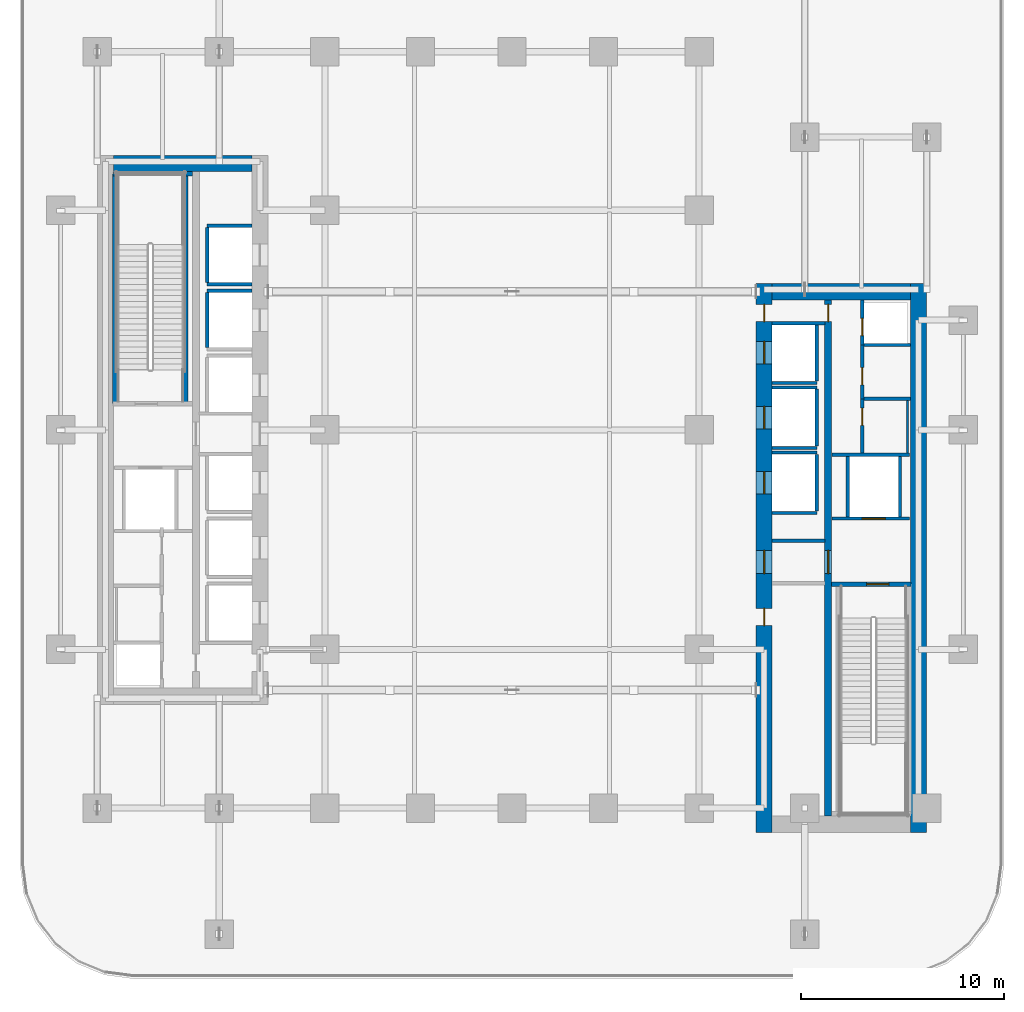
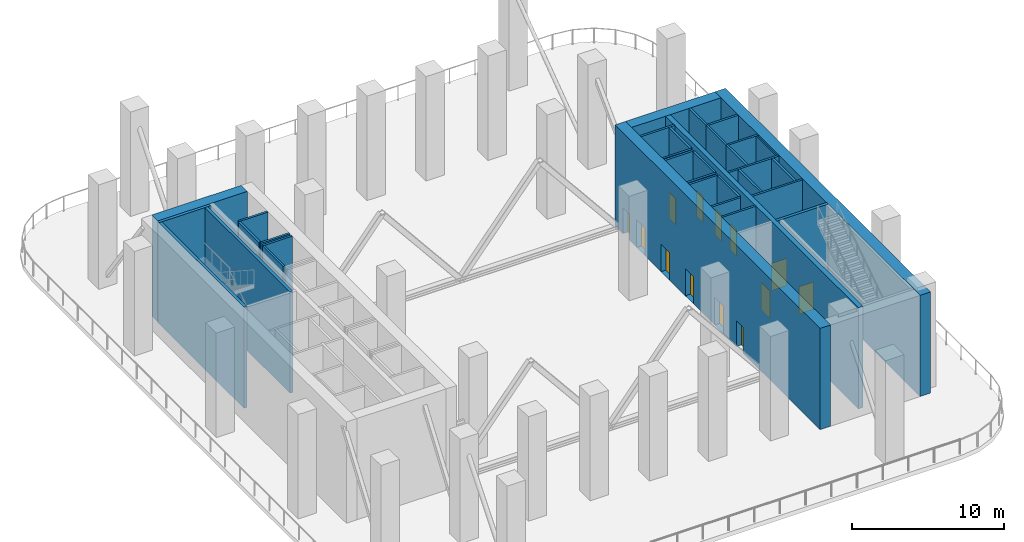
# One storey, part 6 of 13: 34 walls, 13 doors, 13 openings.
"""IFC4 building model written with IfcOpenShell, lengths in metres."""

import ifcopenshell
import ifcopenshell.guid

model = None  # the IFC model being written
_history = None  # IfcOwnerHistory: only IFC2X3 demands one
_inside = {}  # id of a spatial element -> (the spatial element, [elements in it])
_under = {}  # id of a project, library or spatial element -> (it, [spatial elements below it])
_declared = {}  # id of a project -> (the project, [libraries it declares])
_typed = {}  # id of a type object -> (the type object, [elements of that type])
_made_of = {}  # id of a material, layer set ... -> (it, [elements and type objects made of it])


def new_model(schema):
    """Start an empty IFC model of exactly this schema.

    Asked for "IFC4X3", IfcOpenShell would pick the latest addendum, in which some entities
    have other attributes; the version numbers below select the first issue.
    IFC2X3 requires an IfcOwnerHistory on every rooted entity: one is made here for all.
    """
    global model, _history
    if schema == "IFC4X3":
        model = ifcopenshell.file(schema_version=(4, 3, 0, 0))
    else:
        model = ifcopenshell.file(schema=schema)
    _inside.clear()
    _under.clear()
    _declared.clear()
    _typed.clear()
    _made_of.clear()
    _history = None
    if model.schema == "IFC2X3":
        org = make("IfcOrganization", Name="unknown")
        user = make(
            "IfcPersonAndOrganization",
            ThePerson=make("IfcPerson", FamilyName="unknown"),
            TheOrganization=org,
        )
        app = make(
            "IfcApplication",
            ApplicationDeveloper=org,
            Version="unknown",
            ApplicationFullName="unknown",
            ApplicationIdentifier="unknown",
        )
        _history = make(
            "IfcOwnerHistory",
            OwningUser=user,
            OwningApplication=app,
            ChangeAction="ADDED",
            CreationDate=0,
        )
    return model


def make(cls, **values):
    """One entity of the class cls with the attributes given. An attribute that is None is left unset."""
    return model.create_entity(
        cls, **{name: value for name, value in values.items() if value is not None}
    )


def rooted(cls, **values):
    """An entity with a GlobalId (a new one), such as an element, a storey or a relation."""
    return make(cls, GlobalId=ifcopenshell.guid.new(), OwnerHistory=_history, **values)


def si_unit(unit_type, name, prefix=None):
    """IfcSIUnit, for example si_unit("LENGTHUNIT", "METRE", prefix="MILLI")."""
    return make("IfcSIUnit", UnitType=unit_type, Prefix=prefix, Name=name)


def assignment(units):
    """IfcUnitAssignment: the units of a project."""
    return None if units is None else make("IfcUnitAssignment", Units=units)


def point(xyz):
    """IfcCartesianPoint."""
    return None if xyz is None else make("IfcCartesianPoint", Coordinates=xyz)


def direction(xyz):
    """IfcDirection."""
    return None if xyz is None else make("IfcDirection", DirectionRatios=xyz)


def frame(location, z_axis=None, x_axis=None):
    """IfcAxis2Placement3D, a coordinate frame: its origin and axes. An axis left out is left unset."""
    return make(
        "IfcAxis2Placement3D",
        Location=point(location),
        Axis=direction(z_axis),
        RefDirection=direction(x_axis),
    )


def frame_2d(location, x_axis=None):
    """IfcAxis2Placement2D, a coordinate frame in the plane: its origin and x axis."""
    return make(
        "IfcAxis2Placement2D", Location=point(location), RefDirection=direction(x_axis)
    )


def origin():
    """The frame at (0, 0, 0) with its axes left unset."""
    return frame((0.0, 0.0, 0.0))


def place(relative_to, where):
    """IfcLocalPlacement: puts the frame where relative to a parent placement (None: the world)."""
    return make(
        "IfcLocalPlacement", PlacementRelTo=relative_to, RelativePlacement=where
    )


def context(
    kind, dimensions, precision=None, world=None, true_north=None, identifier=None
):
    """IfcGeometricRepresentationContext, for example the 3D "Model" context."""
    return make(
        "IfcGeometricRepresentationContext",
        ContextIdentifier=identifier,
        ContextType=kind,
        CoordinateSpaceDimension=dimensions,
        Precision=precision,
        WorldCoordinateSystem=world,
        TrueNorth=true_north,
    )


def subcontext(parent, identifier, kind, view, scale=None):
    """IfcGeometricRepresentationSubContext, for example "Body" below "Model"."""
    return make(
        "IfcGeometricRepresentationSubContext",
        ContextIdentifier=identifier,
        ContextType=kind,
        ParentContext=parent,
        TargetScale=scale,
        TargetView=view,
    )


def project(units=None, contexts=None):
    """IfcProject with its units and contexts."""
    return rooted(
        "IfcProject",
        Name="project",
        RepresentationContexts=contexts,
        UnitsInContext=assignment(units),
    )


def spatial(cls, under=None, at=None, **own):
    """A site, building, storey or space (cls), placed at a placement, below another one or the project."""
    s = rooted(cls, ObjectPlacement=at, **own)
    if under is not None:
        _under.setdefault(under.id(), (under, []))[1].append(s)
    return s


def profile(cls, at=None, kind="AREA", **sizes):
    """A parametric profile (cls). Its sizes go by their IFC names, for example OverallWidth=200.0."""
    return make(cls, ProfileType=kind, Position=at, **sizes)


def rectangle(**sizes):
    """IfcRectangleProfileDef."""
    return profile("IfcRectangleProfileDef", **sizes)


def extrude(swept, where, along, depth):
    """IfcExtrudedAreaSolid: the profile swept, set in the frame where, extruded along a direction by depth."""
    return make(
        "IfcExtrudedAreaSolid",
        SweptArea=swept,
        Position=where,
        ExtrudedDirection=direction(along),
        Depth=depth,
    )


def shape(context_of_items, identifier, shape_type, items):
    """IfcShapeRepresentation: the items that make up one representation, for example the "Body"."""
    return make(
        "IfcShapeRepresentation",
        ContextOfItems=context_of_items,
        RepresentationIdentifier=identifier,
        RepresentationType=shape_type,
        Items=items,
    )


def material(Name=None, Category=None):
    """IfcMaterial."""
    return make("IfcMaterial", Name=Name, Category=Category)


def layer(
    of_material, thickness, ventilated=None, Name=None, Category=None, Priority=None
):
    """IfcMaterialLayer: one layer of a wall or slab, of a material (None: an air gap)."""
    return make(
        "IfcMaterialLayer",
        Material=of_material,
        LayerThickness=thickness,
        IsVentilated=ventilated,
        Name=Name,
        Category=Category,
        Priority=Priority,
    )


def layer_set(layers, Name=None):
    """IfcMaterialLayerSet."""
    return make("IfcMaterialLayerSet", MaterialLayers=layers, LayerSetName=Name)


def made_of(thing, what):
    """Note that an element or type object is made of a material, layer set ...; save() writes the relation."""
    if what is not None:
        _made_of.setdefault(what.id(), (what, []))[1].append(thing)
    return thing


def type_object(cls, material=None, **own):
    """A type object (cls), such as IfcWallType, which elements share."""
    return made_of(rooted(cls, **own), material)


def element(
    cls,
    number,
    at=None,
    inside=None,
    cuts=None,
    type_object=None,
    material=None,
    context=None,
    identifier="Body",
    shape_type=None,
    held_by="IfcProductDefinitionShape",
    body=None,
    shapes=None,
    **own,
):
    """One element of the class cls, such as IfcWall. Its Tag is "e" and its number.

    at: its placement. inside: the storey or other place that contains it. cuts: it is an
    opening in that element (IfcRelVoidsElement). A single representation is given by context,
    identifier, shape_type and body (its items); several are given by shapes. held_by: the class
    of the entity that holds the representations. save() writes the other relations.
    """
    e = rooted(cls, Tag="e%d" % number, ObjectPlacement=at, **own)
    if body is not None:
        shapes = [shape(context, identifier, shape_type, body)]
    if shapes is not None:
        e.Representation = make(held_by, Representations=shapes)
    if inside is not None:
        _inside.setdefault(inside.id(), (inside, []))[1].append(e)
    if cuts is not None:
        rooted(
            "IfcRelVoidsElement", RelatingBuildingElement=cuts, RelatedOpeningElement=e
        )
    if type_object is not None:
        _typed.setdefault(type_object.id(), (type_object, []))[1].append(e)
    return made_of(e, material)


def fill(opening, filler):
    """IfcRelFillsElement: the door or window that sits in an opening."""
    return rooted(
        "IfcRelFillsElement",
        RelatingOpeningElement=opening,
        RelatedBuildingElement=filler,
    )


def aggregate(whole, parts):
    """IfcRelAggregates: a whole, such as a stair, and the parts it consists of."""
    return rooted("IfcRelAggregates", RelatingObject=whole, RelatedObjects=parts)


def save(model, path):
    """Write the relations noted so far, then the file.

    IfcRelAggregates (storeys below a building ...), IfcRelContainedInSpatialStructure (elements
    in a storey), IfcRelDefinesByType, IfcRelAssociatesMaterial and IfcRelDeclares: one each for
    every whole, place, type object, material and project.
    """
    for whole, parts in _under.values():
        aggregate(whole, parts)
    for where, things in _inside.values():
        rooted(
            "IfcRelContainedInSpatialStructure",
            RelatedElements=things,
            RelatingStructure=where,
        )
    for kind, things in _typed.values():
        rooted("IfcRelDefinesByType", RelatedObjects=things, RelatingType=kind)
    for what, things in _made_of.values():
        rooted("IfcRelAssociatesMaterial", RelatedObjects=things, RelatingMaterial=what)
    for by, libraries in _declared.values():
        rooted("IfcRelDeclares", RelatingContext=by, RelatedDefinitions=libraries)
    model.write(path)


model = new_model("IFC4")

# Units and contexts
model_context = context("Model", 3, precision=1e-05, world=origin(), true_north=direction((0.0, 1.0)))
body_context = subcontext(model_context, "Body", "Model", "MODEL_VIEW")
ifc_project = project(units=[si_unit("LENGTHUNIT", "METRE"), si_unit("AREAUNIT", "SQUARE_METRE"), si_unit("VOLUMEUNIT", "CUBIC_METRE"), si_unit("PLANEANGLEUNIT", "RADIAN"), si_unit("MASSUNIT", "GRAM", prefix="KILO")], contexts=[model_context])

# Site, building, storey
site_placement = place(None, origin())
site = spatial("IfcSite", under=ifc_project, at=site_placement, CompositionType="ELEMENT")
building_placement = place(site_placement, origin())
building = spatial("IfcBuilding", under=site, at=building_placement, Name="Khairoan Windgate Tower", CompositionType="ELEMENT")
storey_placement = place(building_placement, frame((0.0, 0.0, 84.800048828125)))
storey = spatial("IfcBuildingStorey", under=building, at=storey_placement, Name="L20", CompositionType="ELEMENT", Elevation=84.800048828125)

# Walls
ifc_material_1 = material(Name="Moisture-Resistant Gypsum Partition", Category="gypsum")
ifc_layer_1 = layer(ifc_material_1, 0.10009765625, Name="Moisture-Resistant Gypsum Partition")
ifc_layer_set_1 = layer_set([ifc_layer_1], Name="Moisture-Resistant Gypsum Partition")
wall_type_1 = type_object("IfcWallType", Name="Bathroom Wet-Area Partition Wall", PredefinedType="PARTITIONING", material=ifc_layer_set_1)
wall_1_placement = place(storey_placement, frame((19.449951171875, 1.449951171875, 0.0), z_axis=(0.0, 0.0, 1.0), x_axis=(0.0, -1.0, 0.0)))
element("IfcWall", 1, at=wall_1_placement, inside=storey, type_object=wall_type_1, Name="L20 Wet Room Side Wall 012", PredefinedType="PARTITIONING", context=body_context, shape_type="SweptSolid", body=[
    extrude(rectangle(XDim=2.58984375, YDim=0.10009765625, at=frame_2d((1.294921875, 0.0))), origin(), (0.0, 0.0, 1.0), 8.139892578125),
])
ifc_material_2 = material(Name="Concrete C40/50", Category="concrete")
ifc_layer_2 = layer(ifc_material_2, 0.159912109375, Name="Concrete C40/50")
ifc_layer_set_2 = layer_set([ifc_layer_2], Name="Concrete C40/50")
wall_type_2 = type_object("IfcWallType", Name="Core and Hoistway Enclosure Wall", PredefinedType="STANDARD", material=ifc_layer_set_2)
for number, where, z_axis, x_axis, name in (
    (2, (-14.989990234375, 7.159912109375, 0.0), (0.0, 0.0, 1.0), (1.0, 0.0, 0.0), "L20 Lift PL1 Hoistway Divider S"),
    (3, (-14.989990234375, 10.0400390625, 0.0), (0.0, 0.0, 1.0), (1.0, 0.0, 0.0), "L20 Lift PL1 Hoistway Divider N"),
):
    element("IfcWall", number, at=place(storey_placement, frame(where, z_axis=z_axis, x_axis=x_axis)), inside=storey, type_object=wall_type_2, Name=name, PredefinedType="STANDARD", context=body_context, shape_type="SweptSolid", body=[
        extrude(rectangle(XDim=2.18994140625, YDim=0.159912109375, at=frame_2d((1.094970703125, 0.0))), origin(), (0.0, 0.0, 1.0), 8.139892578125),
    ])
wall_2_placement = place(storey_placement, frame((-14.989990234375, 7.25, 0.0), z_axis=(0.0, 0.0, 1.0), x_axis=(0.0, 1.0, 0.0)))
element("IfcWall", 4, at=wall_2_placement, inside=storey, type_object=wall_type_2, Name="L20 Lift PL1 Hoistway Back Wall", PredefinedType="STANDARD", context=body_context, shape_type="SweptSolid", body=[
    extrude(rectangle(XDim=2.699951171875, YDim=0.159912109375, at=frame_2d((1.35009765625, 0.0))), origin(), (0.0, 0.0, 1.0), 8.139892578125),
])
wall_3_placement = place(storey_placement, frame((-14.989990234375, 6.840087890625, 0.0), z_axis=(0.0, 0.0, 1.0), x_axis=(1.0, 0.0, 0.0)))
element("IfcWall", 5, at=wall_3_placement, inside=storey, type_object=wall_type_2, Name="L20 Lift PL2 Hoistway Divider N", PredefinedType="STANDARD", context=body_context, shape_type="SweptSolid", body=[
    extrude(rectangle(XDim=2.18994140625, YDim=0.159912109375, at=frame_2d((1.094970703125, 0.0))), origin(), (0.0, 0.0, 1.0), 8.139892578125),
])
wall_4_placement = place(storey_placement, frame((-14.989990234375, 4.050048828125, 0.0), z_axis=(0.0, 0.0, 1.0), x_axis=(0.0, 1.0, 0.0)))
element("IfcWall", 6, at=wall_4_placement, inside=storey, type_object=wall_type_2, Name="L20 Lift PL2 Hoistway Back Wall", PredefinedType="STANDARD", context=body_context, shape_type="SweptSolid", body=[
    extrude(rectangle(XDim=2.699951171875, YDim=0.159912109375, at=frame_2d((1.35009765625, 0.0))), origin(), (0.0, 0.0, 1.0), 8.139892578125),
])
wall_5_placement = place(storey_placement, frame((12.800048828125, 2.31005859375, 0.0), z_axis=(0.0, 0.0, 1.0), x_axis=(1.0, 0.0, 0.0)))
element("IfcWall", 7, at=wall_5_placement, inside=storey, type_object=wall_type_2, Name="L20 Lift PL7 Hoistway Divider S", PredefinedType="STANDARD", context=body_context, shape_type="SweptSolid", body=[
    extrude(rectangle(XDim=2.18994140625, YDim=0.159912109375, at=frame_2d((1.094970703125, 0.0))), origin(), (0.0, 0.0, 1.0), 8.139892578125),
])
wall_6_placement = place(storey_placement, frame((14.989990234375, 2.39990234375, 0.0), z_axis=(0.0, 0.0, 1.0), x_axis=(0.0, 1.0, 0.0)))
element("IfcWall", 8, at=wall_6_placement, inside=storey, type_object=wall_type_2, Name="L20 Lift PL7 Hoistway Back Wall", PredefinedType="STANDARD", context=body_context, shape_type="SweptSolid", body=[
    extrude(rectangle(XDim=2.800048828125, YDim=0.159912109375, at=frame_2d((1.39990234375, 0.0))), origin(), (0.0, 0.0, 1.0), 8.139892578125),
])
for number, where, z_axis, x_axis, name in (
    (9, (12.800048828125, -0.889892578125, 0.0), (0.0, 0.0, 1.0), (1.0, 0.0, 0.0), "L20 Lift PL8 Hoistway Divider S"),
    (10, (12.800048828125, 2.090087890625, 0.0), (0.0, 0.0, 1.0), (1.0, 0.0, 0.0), "L20 Lift PL8 Hoistway Divider N"),
):
    element("IfcWall", number, at=place(storey_placement, frame(where, z_axis=z_axis, x_axis=x_axis)), inside=storey, type_object=wall_type_2, Name=name, PredefinedType="STANDARD", context=body_context, shape_type="SweptSolid", body=[
        extrude(rectangle(XDim=2.18994140625, YDim=0.159912109375, at=frame_2d((1.094970703125, 0.0))), origin(), (0.0, 0.0, 1.0), 8.139892578125),
    ])
wall_7_placement = place(storey_placement, frame((14.989990234375, -0.800048828125, 0.0), z_axis=(0.0, 0.0, 1.0), x_axis=(0.0, 1.0, 0.0)))
element("IfcWall", 11, at=wall_7_placement, inside=storey, type_object=wall_type_2, Name="L20 Lift PL8 Hoistway Back Wall", PredefinedType="STANDARD", context=body_context, shape_type="SweptSolid", body=[
    extrude(rectangle(XDim=2.800048828125, YDim=0.159912109375, at=frame_2d((1.39990234375, 0.0))), origin(), (0.0, 0.0, 1.0), 8.139892578125),
])
for number, where, z_axis, x_axis, name in (
    (12, (12.800048828125, -4.090087890625, 0.0), (0.0, 0.0, 1.0), (1.0, 0.0, 0.0), "L20 Lift PL9 Hoistway Divider S"),
    (13, (12.800048828125, -1.110107421875, 0.0), (0.0, 0.0, 1.0), (1.0, 0.0, 0.0), "L20 Lift PL9 Hoistway Divider N"),
):
    element("IfcWall", number, at=place(storey_placement, frame(where, z_axis=z_axis, x_axis=x_axis)), inside=storey, type_object=wall_type_2, Name=name, PredefinedType="STANDARD", context=body_context, shape_type="SweptSolid", body=[
        extrude(rectangle(XDim=2.18994140625, YDim=0.159912109375, at=frame_2d((1.094970703125, 0.0))), origin(), (0.0, 0.0, 1.0), 8.139892578125),
    ])
wall_8_placement = place(storey_placement, frame((14.989990234375, -4.0, 0.0), z_axis=(0.0, 0.0, 1.0), x_axis=(0.0, 1.0, 0.0)))
element("IfcWall", 14, at=wall_8_placement, inside=storey, type_object=wall_type_2, Name="L20 Lift PL9 Hoistway Back Wall", PredefinedType="STANDARD", context=body_context, shape_type="SweptSolid", body=[
    extrude(rectangle(XDim=2.800048828125, YDim=0.159912109375, at=frame_2d((1.39990234375, 0.0))), origin(), (0.0, 0.0, 1.0), 8.139892578125),
])

# Wall, opening, door
wall_9_placement = place(storey_placement, frame((15.75, -4.360107421875, 0.0), z_axis=(0.0, 0.0, 1.0), x_axis=(1.0, 0.0, 0.0)))
wall_9 = element("IfcWall", 15, at=wall_9_placement, inside=storey, type_object=wall_type_2, Name="L20 Core Shaft Wall SW-FL1-L20", PredefinedType="STANDARD", context=body_context, shape_type="SweptSolid", body=[
    extrude(rectangle(XDim=3.800048828125, YDim=0.159912109375, at=frame_2d((1.89990234375, 0.0))), origin(), (0.0, 0.0, 1.0), 8.139892578125),
])
opening_1_placement = place(wall_9_placement, frame((1.469970703125, 0.0, 0.0)))
opening_1 = element("IfcOpeningElement", 16, at=opening_1_placement, cuts=wall_9, Name="Opening LD-FL", PredefinedType="OPENING", context=body_context, shape_type="SweptSolid", body=[
    extrude(rectangle(XDim=1.14990234375, YDim=2.199951171875, at=frame_2d((0.574951171875, 1.10009765625))), frame((0.0, 0.08984375, 0.0), z_axis=(0.0, -1.0, 0.0), x_axis=(1.0, 0.0, 0.0)), (0.0, 0.0, 1.0), 0.179931640625),
])
ifc_material_3 = material(Name="Steel S355", Category="steel")
door_type_1 = type_object("IfcDoorType", Name="Firefighting Lift Sliding Landing Door LD-FL 1150x2200", OperationType="DOUBLE_DOOR_SLIDING", PredefinedType="DOOR", material=ifc_material_3)
door_1_placement = place(opening_1_placement, origin())
door_1 = element("IfcDoor", 17, at=door_1_placement, inside=storey, type_object=door_type_1, Name="L20 Firefighting Lift FL1 Landing Door", OperationType="DOUBLE_DOOR_SLIDING", OverallHeight=2.199951171875, OverallWidth=1.14990234375, PredefinedType="DOOR", context=body_context, shape_type="SweptSolid", body=[
    extrude(rectangle(XDim=1.14990234375, YDim=2.199951171875, at=frame_2d((0.574951171875, 1.10009765625))), frame((0.0, 0.02490234375, 0.0), z_axis=(0.0, -1.0, 0.0), x_axis=(1.0, 0.0, 0.0)), (0.0, 0.0, 1.0), 0.050048828125),
])
fill(opening_1, door_1)

# Walls
wall_10_placement = place(storey_placement, frame((15.75, -1.219970703125, 0.0), z_axis=(0.0, 0.0, 1.0), x_axis=(1.0, 0.0, 0.0)))
element("IfcWall", 18, at=wall_10_placement, inside=storey, type_object=wall_type_2, Name="L20 Core Shaft Wall SW-FL1T-L20", PredefinedType="STANDARD", context=body_context, shape_type="SweptSolid", body=[
    extrude(rectangle(XDim=3.800048828125, YDim=0.159912109375, at=frame_2d((1.89990234375, 0.0))), origin(), (0.0, 0.0, 1.0), 8.139892578125),
])
for number, where, z_axis, x_axis, name in (
    (19, (16.52001953125, -4.280029296875, 0.0), (0.0, 0.0, 1.0), (0.0, 1.0, 0.0), "L20 Core Shaft Wall SW-FL1W-L20"),
    (20, (19.080078125, -4.280029296875, 0.0), (0.0, 0.0, 1.0), (0.0, 1.0, 0.0), "L20 Core Shaft Wall SW-FL1E-L20"),
):
    element("IfcWall", number, at=place(storey_placement, frame(where, z_axis=z_axis, x_axis=x_axis)), inside=storey, type_object=wall_type_2, Name=name, PredefinedType="STANDARD", context=body_context, shape_type="SweptSolid", body=[
        extrude(rectangle(XDim=2.97998046875, YDim=0.159912109375, at=frame_2d((1.489990234375, 0.0))), origin(), (0.0, 0.0, 1.0), 8.139892578125),
    ])
for number, where, z_axis, x_axis, name in (
    (21, (12.800048828125, -5.449951171875, 0.0), (0.0, 0.0, 1.0), (1.0, 0.0, 0.0), "L20 Core Shaft Wall SW-EV1-L20"),
    (22, (12.800048828125, 5.25, 0.0), (0.0, 0.0, 1.0), (1.0, 0.0, 0.0), "L20 Core Shaft Wall SW-ESV-L20"),
):
    element("IfcWall", number, at=place(storey_placement, frame(where, z_axis=z_axis, x_axis=x_axis)), inside=storey, type_object=wall_type_2, Name=name, PredefinedType="STANDARD", context=body_context, shape_type="SweptSolid", body=[
        extrude(rectangle(XDim=2.599853515625, YDim=0.159912109375, at=frame_2d((1.2998046875, 0.0))), origin(), (0.0, 0.0, 1.0), 8.139892578125),
    ])

# Wall, opening, door
ifc_material_4 = material(Name="Concrete C40/50", Category="concrete")
ifc_layer_3 = layer(ifc_material_4, 0.159912109375, Name="Concrete C40/50")
ifc_layer_set_3 = layer_set([ifc_layer_3], Name="Concrete C40/50")
wall_type_3 = type_object("IfcWallType", Name="Plant and Refuge Compartment Wall", PredefinedType="PARTITIONING", material=ifc_layer_set_3)
wall_11_placement = place(storey_placement, frame((17.22998046875, 4.169921875, 0.0), z_axis=(0.0, 0.0, 1.0), x_axis=(0.0, 1.0, 0.0)))
wall_11 = element("IfcWall", 23, at=wall_11_placement, inside=storey, type_object=wall_type_3, Name="L20 Interior Partition 006", PredefinedType="PARTITIONING", context=body_context, shape_type="SweptSolid", body=[
    extrude(rectangle(XDim=2.22998046875, YDim=0.159912109375, at=frame_2d((1.114990234375, 0.0))), origin(), (0.0, 0.0, 1.0), 8.139892578125),
])
opening_2_placement = place(wall_11_placement, frame((0.4599609375, 0.0, 0.0)))
opening_2 = element("IfcOpeningElement", 24, at=opening_2_placement, cuts=wall_11, Name="Opening FD-SRV", PredefinedType="OPENING", context=body_context, shape_type="SweptSolid", body=[
    extrude(rectangle(XDim=0.85009765625, YDim=2.10009765625, at=frame_2d((0.425048828125, 1.050048828125))), frame((0.0, 0.08984375, 0.0), z_axis=(0.0, -1.0, 0.0), x_axis=(1.0, 0.0, 0.0)), (0.0, 0.0, 1.0), 0.179931640625),
])
ifc_material_5 = material(Name="Steel S355", Category="steel")
door_type_2 = type_object("IfcDoorType", Name="Core Service and Riser Fire Door FD-SRV 850x2100", OperationType="NOTDEFINED", PredefinedType="DOOR", material=ifc_material_5)
door_2_placement = place(opening_2_placement, origin())
door_2 = element("IfcDoor", 25, at=door_2_placement, inside=storey, type_object=door_type_2, Name="L20 L20-19-L20-20 Door", OperationType="SINGLE_SWING_RIGHT", OverallHeight=2.10009765625, OverallWidth=0.85009765625, PredefinedType="DOOR", context=body_context, shape_type="SweptSolid", body=[
    extrude(rectangle(XDim=0.85009765625, YDim=2.10009765625, at=frame_2d((0.425048828125, 1.050048828125))), frame((0.0, 0.02490234375, 0.0), z_axis=(0.0, -1.0, 0.0), x_axis=(1.0, 0.0, 0.0)), (0.0, 0.0, 1.0), 0.050048828125),
])
fill(opening_2, door_2)

wall_12_placement = place(storey_placement, frame((17.22998046875, -1.139892578125, 0.0), z_axis=(0.0, 0.0, 1.0), x_axis=(0.0, 1.0, 0.0)))
wall_12 = element("IfcWall", 26, at=wall_12_placement, inside=storey, type_object=wall_type_3, Name="L20 Interior Partition 007", PredefinedType="PARTITIONING", context=body_context, shape_type="SweptSolid", body=[
    extrude(rectangle(XDim=2.669921875, YDim=0.159912109375, at=frame_2d((1.3349609375, 0.0))), origin(), (0.0, 0.0, 1.0), 8.139892578125),
])
opening_3_placement = place(wall_12_placement, frame((1.360107421875, 0.0, 0.0)))
opening_3 = element("IfcOpeningElement", 27, at=opening_3_placement, cuts=wall_12, Name="Opening FD-SRV", PredefinedType="OPENING", context=body_context, shape_type="SweptSolid", body=[
    extrude(rectangle(XDim=0.85009765625, YDim=2.10009765625, at=frame_2d((0.425048828125, 1.050048828125))), frame((0.0, 0.08984375, 0.0), z_axis=(0.0, -1.0, 0.0), x_axis=(1.0, 0.0, 0.0)), (0.0, 0.0, 1.0), 0.179931640625),
])
door_3_placement = place(opening_3_placement, origin())
door_3 = element("IfcDoor", 28, at=door_3_placement, inside=storey, type_object=door_type_2, Name="L20 L20-19-L20-21 Door", OperationType="SINGLE_SWING_LEFT", OverallHeight=2.10009765625, OverallWidth=0.85009765625, PredefinedType="DOOR", context=body_context, shape_type="SweptSolid", body=[
    extrude(rectangle(XDim=0.85009765625, YDim=2.10009765625, at=frame_2d((0.425048828125, 1.050048828125))), frame((0.0, 0.02490234375, 0.0), z_axis=(0.0, -1.0, 0.0), x_axis=(1.0, 0.0, 0.0)), (0.0, 0.0, 1.0), 0.050048828125),
])
fill(opening_3, door_3)

wall_13_placement = place(storey_placement, frame((17.22998046875, 1.530029296875, 0.0), z_axis=(0.0, 0.0, 1.0), x_axis=(0.0, 1.0, 0.0)))
wall_13 = element("IfcWall", 29, at=wall_13_placement, inside=storey, type_object=wall_type_3, Name="L20 Interior Partition 008", PredefinedType="PARTITIONING", context=body_context, shape_type="SweptSolid", body=[
    extrude(rectangle(XDim=2.639892578125, YDim=0.159912109375, at=frame_2d((1.31982421875, 0.0))), origin(), (0.0, 0.0, 1.0), 8.139892578125),
])
opening_4_placement = place(wall_13_placement, frame((0.677490234375, 0.0, 0.0)))
opening_4 = element("IfcOpeningElement", 30, at=opening_4_placement, cuts=wall_13, Name="Opening FD-SRV", PredefinedType="OPENING", context=body_context, shape_type="SweptSolid", body=[
    extrude(rectangle(XDim=0.85009765625, YDim=2.10009765625, at=frame_2d((0.425048828125, 1.050048828125))), frame((0.0, 0.08984375, 0.0), z_axis=(0.0, -1.0, 0.0), x_axis=(1.0, 0.0, 0.0)), (0.0, 0.0, 1.0), 0.179931640625),
])
door_4_placement = place(opening_4_placement, origin())
door_4 = element("IfcDoor", 31, at=door_4_placement, inside=storey, type_object=door_type_2, Name="L20 L20-19-L20-22 Door", OperationType="SINGLE_SWING_RIGHT", OverallHeight=2.10009765625, OverallWidth=0.85009765625, PredefinedType="DOOR", context=body_context, shape_type="SweptSolid", body=[
    extrude(rectangle(XDim=0.85009765625, YDim=2.10009765625, at=frame_2d((0.425048828125, 1.050048828125))), frame((0.0, 0.02490234375, 0.0), z_axis=(0.0, -1.0, 0.0), x_axis=(1.0, 0.0, 0.0)), (0.0, 0.0, 1.0), 0.050048828125),
])
fill(opening_4, door_4)

# Walls
for number, where, z_axis, x_axis, name in (
    (32, (17.31005859375, 4.169921875, 0.0), (0.0, 0.0, 1.0), (1.0, 0.0, 0.0), "L20 Interior Partition 009"),
    (33, (17.31005859375, 1.530029296875, 0.0), (0.0, 0.0, 1.0), (1.0, 0.0, 0.0), "L20 Interior Partition 010"),
):
    element("IfcWall", number, at=place(storey_placement, frame(where, z_axis=z_axis, x_axis=x_axis)), inside=storey, type_object=wall_type_3, Name=name, PredefinedType="PARTITIONING", context=body_context, shape_type="SweptSolid", body=[
        extrude(rectangle(XDim=2.2900390625, YDim=0.159912109375, at=frame_2d((1.14501953125, 0.0))), origin(), (0.0, 0.0, 1.0), 8.139892578125),
    ])

# Wall, openings, doors
ifc_material_6 = material(Name="Concrete C70/85", Category="concrete")
ifc_layer_4 = layer(ifc_material_6, 0.800048828125, Name="Concrete C70/85")
ifc_layer_set_4 = layer_set([ifc_layer_4], Name="Concrete C70/85")
wall_type_4 = type_object("IfcWallType", Name="Shear Wall CW-E1 800mm", PredefinedType="SHEAR", material=ifc_layer_set_4)
wall_14_placement = place(storey_placement, frame((12.39990234375, -19.800048828125, 0.0), z_axis=(0.0, 0.0, 1.0), x_axis=(0.0, 1.0, 0.0)))
wall_14 = element("IfcWall", 34, at=wall_14_placement, inside=storey, type_object=wall_type_4, Name="E Core West Shear Wall L20", PredefinedType="SHEAR", context=body_context, shape_type="SweptSolid", body=[
    extrude(rectangle(XDim=27.0, YDim=0.800048828125, at=frame_2d((13.5, 0.0))), origin(), (0.0, 0.0, 1.0), 8.139892578125),
])
opening_5_placement = place(wall_14_placement, frame((23.050048828125, 0.0, 0.0)))
opening_5 = element("IfcOpeningElement", 35, at=opening_5_placement, cuts=wall_14, Name="Opening LD-PL", PredefinedType="OPENING", context=body_context, shape_type="SweptSolid", body=[
    extrude(rectangle(XDim=1.10009765625, YDim=2.199951171875, at=frame_2d((0.550048828125, 1.10009765625))), frame((0.0, 0.409912109375, 0.0), z_axis=(0.0, -1.0, 0.0), x_axis=(1.0, 0.0, 0.0)), (0.0, 0.0, 1.0), 0.820068359375),
])
opening_6_placement = place(wall_14_placement, frame((19.85009765625, 0.0, 0.0)))
opening_6 = element("IfcOpeningElement", 36, at=opening_6_placement, cuts=wall_14, Name="Opening LD-PL", PredefinedType="OPENING", context=body_context, shape_type="SweptSolid", body=[
    extrude(rectangle(XDim=1.10009765625, YDim=2.199951171875, at=frame_2d((0.550048828125, 1.10009765625))), frame((0.0, 0.409912109375, 0.0), z_axis=(0.0, -1.0, 0.0), x_axis=(1.0, 0.0, 0.0)), (0.0, 0.0, 1.0), 0.820068359375),
])
opening_7_placement = place(wall_14_placement, frame((16.64990234375, 0.0, 0.0)))
opening_7 = element("IfcOpeningElement", 37, at=opening_7_placement, cuts=wall_14, Name="Opening LD-PL", PredefinedType="OPENING", context=body_context, shape_type="SweptSolid", body=[
    extrude(rectangle(XDim=1.10009765625, YDim=2.199951171875, at=frame_2d((0.550048828125, 1.10009765625))), frame((0.0, 0.409912109375, 0.0), z_axis=(0.0, -1.0, 0.0), x_axis=(1.0, 0.0, 0.0)), (0.0, 0.0, 1.0), 0.820068359375),
])
opening_8_placement = place(wall_14_placement, frame((10.175048828125, 0.0, 0.0)))
opening_8 = element("IfcOpeningElement", 38, at=opening_8_placement, cuts=wall_14, Name="Opening FD-SRV", PredefinedType="OPENING", context=body_context, shape_type="SweptSolid", body=[
    extrude(rectangle(XDim=0.85009765625, YDim=2.10009765625, at=frame_2d((0.425048828125, 1.050048828125))), frame((0.0, 0.409912109375, 0.0), z_axis=(0.0, -1.0, 0.0), x_axis=(1.0, 0.0, 0.0)), (0.0, 0.0, 1.0), 0.820068359375),
])
opening_9_placement = place(wall_14_placement, frame((12.72509765625, 0.0, 0.0)))
opening_9 = element("IfcOpeningElement", 39, at=opening_9_placement, cuts=wall_14, Name="Opening FD-FFL", PredefinedType="OPENING", context=body_context, shape_type="SweptSolid", body=[
    extrude(rectangle(XDim=1.14990234375, YDim=2.199951171875, at=frame_2d((0.574951171875, 1.10009765625))), frame((0.0, 0.409912109375, 0.0), z_axis=(0.0, -1.0, 0.0), x_axis=(1.0, 0.0, 0.0)), (0.0, 0.0, 1.0), 0.820068359375),
])
opening_10_placement = place(wall_14_placement, frame((25.125, 0.0, 0.0)))
opening_10 = element("IfcOpeningElement", 40, at=opening_10_placement, cuts=wall_14, Name="Opening FD-SRV", PredefinedType="OPENING", context=body_context, shape_type="SweptSolid", body=[
    extrude(rectangle(XDim=0.85009765625, YDim=2.10009765625, at=frame_2d((0.425048828125, 1.050048828125))), frame((0.0, 0.409912109375, 0.0), z_axis=(0.0, -1.0, 0.0), x_axis=(1.0, 0.0, 0.0)), (0.0, 0.0, 1.0), 0.820068359375),
])
door_5_placement = place(opening_8_placement, origin())
door_5 = element("IfcDoor", 41, at=door_5_placement, inside=storey, type_object=door_type_2, Name="L20 East Core Service Room Door 1", OperationType="SINGLE_SWING_RIGHT", OverallHeight=2.10009765625, OverallWidth=0.85009765625, PredefinedType="DOOR", context=body_context, shape_type="SweptSolid", body=[
    extrude(rectangle(XDim=0.85009765625, YDim=2.10009765625, at=frame_2d((0.425048828125, 1.050048828125))), frame((0.0, 0.02490234375, 0.0), z_axis=(0.0, -1.0, 0.0), x_axis=(1.0, 0.0, 0.0)), (0.0, 0.0, 1.0), 0.050048828125),
])
fill(opening_8, door_5)
door_6_placement = place(opening_10_placement, origin())
door_6 = element("IfcDoor", 42, at=door_6_placement, inside=storey, type_object=door_type_2, Name="L20 East Core Service Vestibule Outer Door", OperationType="SINGLE_SWING_LEFT", OverallHeight=2.10009765625, OverallWidth=0.85009765625, PredefinedType="DOOR", context=body_context, shape_type="SweptSolid", body=[
    extrude(rectangle(XDim=0.85009765625, YDim=2.10009765625, at=frame_2d((0.425048828125, 1.050048828125))), frame((0.0, 0.02490234375, 0.0), z_axis=(0.0, -1.0, 0.0), x_axis=(1.0, 0.0, 0.0)), (0.0, 0.0, 1.0), 0.050048828125),
])
fill(opening_10, door_6)
ifc_material_7 = material(Name="Steel S355", Category="steel")
door_type_3 = type_object("IfcDoorType", Name="Firefighting Lobby Fire Door FD-FFL 1150x2200", OperationType="NOTDEFINED", PredefinedType="DOOR", material=ifc_material_7)
door_7_placement = place(opening_9_placement, origin())
door_7 = element("IfcDoor", 43, at=door_7_placement, inside=storey, type_object=door_type_3, Name="L20 East Core Vestibule Entry Door", OperationType="SINGLE_SWING_LEFT", OverallHeight=2.199951171875, OverallWidth=1.14990234375, PredefinedType="DOOR", context=body_context, shape_type="SweptSolid", body=[
    extrude(rectangle(XDim=1.14990234375, YDim=2.199951171875, at=frame_2d((0.574951171875, 1.10009765625))), frame((0.0, 0.02490234375, 0.0), z_axis=(0.0, -1.0, 0.0), x_axis=(1.0, 0.0, 0.0)), (0.0, 0.0, 1.0), 0.050048828125),
])
fill(opening_9, door_7)
ifc_material_8 = material(Name="Anodised Bronze Aluminium 6063-T6", Category="aluminium")
door_type_4 = type_object("IfcDoorType", Name="Passenger Lift Sliding Landing Door LD-PL 1100x2200", OperationType="DOUBLE_DOOR_SLIDING", PredefinedType="DOOR", material=ifc_material_8)
door_8_placement = place(opening_5_placement, origin())
door_8 = element("IfcDoor", 44, at=door_8_placement, inside=storey, type_object=door_type_4, Name="L20 Lift PL7 Sliding Landing Door", OperationType="DOUBLE_DOOR_SLIDING", OverallHeight=2.199951171875, OverallWidth=1.10009765625, PredefinedType="DOOR", context=body_context, shape_type="SweptSolid", body=[
    extrude(rectangle(XDim=1.10009765625, YDim=2.199951171875, at=frame_2d((0.550048828125, 1.10009765625))), frame((0.0, 0.02490234375, 0.0), z_axis=(0.0, -1.0, 0.0), x_axis=(1.0, 0.0, 0.0)), (0.0, 0.0, 1.0), 0.050048828125),
])
fill(opening_5, door_8)
door_9_placement = place(opening_6_placement, origin())
door_9 = element("IfcDoor", 45, at=door_9_placement, inside=storey, type_object=door_type_4, Name="L20 Lift PL8 Sliding Landing Door", OperationType="DOUBLE_DOOR_SLIDING", OverallHeight=2.199951171875, OverallWidth=1.10009765625, PredefinedType="DOOR", context=body_context, shape_type="SweptSolid", body=[
    extrude(rectangle(XDim=1.10009765625, YDim=2.199951171875, at=frame_2d((0.550048828125, 1.10009765625))), frame((0.0, 0.02490234375, 0.0), z_axis=(0.0, -1.0, 0.0), x_axis=(1.0, 0.0, 0.0)), (0.0, 0.0, 1.0), 0.050048828125),
])
fill(opening_6, door_9)
door_10_placement = place(opening_7_placement, origin())
door_10 = element("IfcDoor", 46, at=door_10_placement, inside=storey, type_object=door_type_4, Name="L20 Lift PL9 Sliding Landing Door", OperationType="DOUBLE_DOOR_SLIDING", OverallHeight=2.199951171875, OverallWidth=1.10009765625, PredefinedType="DOOR", context=body_context, shape_type="SweptSolid", body=[
    extrude(rectangle(XDim=1.10009765625, YDim=2.199951171875, at=frame_2d((0.550048828125, 1.10009765625))), frame((0.0, 0.02490234375, 0.0), z_axis=(0.0, -1.0, 0.0), x_axis=(1.0, 0.0, 0.0)), (0.0, 0.0, 1.0), 0.050048828125),
])
fill(opening_7, door_10)

# Walls
wall_15_placement = place(storey_placement, frame((20.0, -19.800048828125, 0.0), z_axis=(0.0, 0.0, 1.0), x_axis=(0.0, 1.0, 0.0)))
element("IfcWall", 47, at=wall_15_placement, inside=storey, type_object=wall_type_4, Name="E Core East Shear Wall L20", PredefinedType="SHEAR", context=body_context, shape_type="SweptSolid", body=[
    extrude(rectangle(XDim=27.0, YDim=0.800048828125, at=frame_2d((13.5, 0.0))), origin(), (0.0, 0.0, 1.0), 8.139892578125),
])
wall_16_placement = place(storey_placement, frame((12.800048828125, 6.800048828125, 0.0), z_axis=(0.0, 0.0, 1.0), x_axis=(1.0, 0.0, 0.0)))
element("IfcWall", 48, at=wall_16_placement, inside=storey, type_object=wall_type_4, Name="E Core North Shear Wall L20", PredefinedType="SHEAR", context=body_context, shape_type="SweptSolid", body=[
    extrude(rectangle(XDim=6.800048828125, YDim=0.800048828125, at=frame_2d((3.39990234375, 0.0))), origin(), (0.0, 0.0, 1.0), 8.139892578125),
])
ifc_material_9 = material(Name="Concrete C70/85", Category="concrete")
ifc_layer_5 = layer(ifc_material_9, 0.800048828125, Name="Concrete C70/85")
ifc_layer_set_5 = layer_set([ifc_layer_5], Name="Concrete C70/85")
wall_type_5 = type_object("IfcWallType", Name="Shear Wall CW-W1 800mm", PredefinedType="SHEAR", material=ifc_layer_set_5)
wall_17_placement = place(storey_placement, frame((-19.60009765625, 13.10009765625, 0.0), z_axis=(0.0, 0.0, 1.0), x_axis=(1.0, 0.0, 0.0)))
element("IfcWall", 49, at=wall_17_placement, inside=storey, type_object=wall_type_5, Name="W Core North Shear Wall L20", PredefinedType="SHEAR", context=body_context, shape_type="SweptSolid", body=[
    extrude(rectangle(XDim=6.800048828125, YDim=0.800048828125, at=frame_2d((3.39990234375, 0.0))), origin(), (0.0, 0.0, 1.0), 8.139892578125),
])

# Wall, openings, doors
ifc_material_10 = material(Name="Concrete C60/75", Category="concrete")
ifc_layer_6 = layer(ifc_material_10, 0.35009765625, Name="Concrete C60/75")
ifc_layer_set_6 = layer_set([ifc_layer_6], Name="Concrete C60/75")
wall_type_6 = type_object("IfcWallType", Name="Shear Wall SW-1 350mm", PredefinedType="SHEAR", material=ifc_layer_set_6)
wall_18_placement = place(storey_placement, frame((15.550048828125, -19.0, 0.0), z_axis=(0.0, 0.0, 1.0), x_axis=(0.0, 1.0, 0.0)))
wall_18 = element("IfcWall", 50, at=wall_18_placement, inside=storey, type_object=wall_type_6, Name="E Core Spine Shear Wall L20", PredefinedType="SHEAR", context=body_context, shape_type="SweptSolid", body=[
    extrude(rectangle(XDim=25.39990234375, YDim=0.35009765625, at=frame_2d((12.699951171875, 0.0))), origin(), (0.0, 0.0, 1.0), 8.139892578125),
])
opening_11_placement = place(wall_18_placement, frame((11.925048828125, 0.0, 0.0)))
opening_11 = element("IfcOpeningElement", 51, at=opening_11_placement, cuts=wall_18, Name="Opening FD-FFL", PredefinedType="OPENING", context=body_context, shape_type="SweptSolid", body=[
    extrude(rectangle(XDim=1.14990234375, YDim=2.199951171875, at=frame_2d((0.574951171875, 1.10009765625))), frame((0.0, 0.18505859375, 0.0), z_axis=(0.0, -1.0, 0.0), x_axis=(1.0, 0.0, 0.0)), (0.0, 0.0, 1.0), 0.3701171875),
])
opening_12_placement = place(wall_18_placement, frame((24.324951171875, 0.0, 0.0)))
opening_12 = element("IfcOpeningElement", 52, at=opening_12_placement, cuts=wall_18, Name="Opening FD-SRV", PredefinedType="OPENING", context=body_context, shape_type="SweptSolid", body=[
    extrude(rectangle(XDim=0.85009765625, YDim=2.10009765625, at=frame_2d((0.425048828125, 1.050048828125))), frame((0.0, 0.18505859375, 0.0), z_axis=(0.0, -1.0, 0.0), x_axis=(1.0, 0.0, 0.0)), (0.0, 0.0, 1.0), 0.3701171875),
])
door_11_placement = place(opening_12_placement, origin())
door_11 = element("IfcDoor", 53, at=door_11_placement, inside=storey, type_object=door_type_2, Name="L20 East Core Service Passage Inner Door", OperationType="SINGLE_SWING_RIGHT", OverallHeight=2.10009765625, OverallWidth=0.85009765625, PredefinedType="DOOR", context=body_context, shape_type="SweptSolid", body=[
    extrude(rectangle(XDim=0.85009765625, YDim=2.10009765625, at=frame_2d((0.425048828125, 1.050048828125))), frame((0.0, 0.02490234375, 0.0), z_axis=(0.0, -1.0, 0.0), x_axis=(1.0, 0.0, 0.0)), (0.0, 0.0, 1.0), 0.050048828125),
])
fill(opening_12, door_11)
door_12_placement = place(opening_11_placement, origin())
door_12 = element("IfcDoor", 54, at=door_12_placement, inside=storey, type_object=door_type_3, Name="L20 East Firefighting Lobby Fire Door", OperationType="SINGLE_SWING_RIGHT", OverallHeight=2.199951171875, OverallWidth=1.14990234375, PredefinedType="DOOR", context=body_context, shape_type="SweptSolid", body=[
    extrude(rectangle(XDim=1.14990234375, YDim=2.199951171875, at=frame_2d((0.574951171875, 1.10009765625))), frame((0.0, 0.02490234375, 0.0), z_axis=(0.0, -1.0, 0.0), x_axis=(1.0, 0.0, 0.0)), (0.0, 0.0, 1.0), 0.050048828125),
])
fill(opening_11, door_12)

# Wall, opening, door
ifc_material_11 = material(Name="Concrete C50/60", Category="concrete")
ifc_layer_7 = layer(ifc_material_11, 0.219970703125, Name="Concrete C50/60")
ifc_layer_set_7 = layer_set([ifc_layer_7], Name="Concrete C50/60")
wall_type_7 = type_object("IfcWallType", Name="Shear Wall SW-ST 220mm", PredefinedType="SHEAR", material=ifc_layer_set_7)
wall_19_placement = place(storey_placement, frame((19.6201171875, -7.590087890625, 0.0), z_axis=(0.0, 0.0, 1.0), x_axis=(-1.0, 0.0, 0.0)))
wall_19 = element("IfcWall", 55, at=wall_19_placement, inside=storey, type_object=wall_type_7, Name="L20 Stair ST1 North Bearing Wall", PredefinedType="SHEAR", context=body_context, shape_type="SweptSolid", body=[
    extrude(rectangle(XDim=3.9150390625, YDim=0.219970703125, at=frame_2d((1.95751953125, 0.0))), origin(), (0.0, 0.0, 1.0), 8.139892578125),
])
opening_13_placement = place(wall_19_placement, frame((1.080078125, 0.0, 0.0)))
opening_13 = element("IfcOpeningElement", 56, at=opening_13_placement, cuts=wall_19, Name="Opening FD-ST", PredefinedType="OPENING", context=body_context, shape_type="SweptSolid", body=[
    extrude(rectangle(XDim=1.10009765625, YDim=2.199951171875, at=frame_2d((0.550048828125, 1.10009765625))), frame((0.0, 0.119873046875, 0.0), z_axis=(0.0, -1.0, 0.0), x_axis=(1.0, 0.0, 0.0)), (0.0, 0.0, 1.0), 0.239990234375),
])
ifc_material_12 = material(Name="Steel S355", Category="steel")
door_type_5 = type_object("IfcDoorType", Name="Smokeproof Stair Fire Door FD-ST 1100x2200", OperationType="NOTDEFINED", PredefinedType="DOOR", material=ifc_material_12)
door_13_placement = place(opening_13_placement, origin())
door_13 = element("IfcDoor", 57, at=door_13_placement, inside=storey, type_object=door_type_5, Name="L20 Stair ST1 Fire Door", OperationType="SINGLE_SWING_RIGHT", OverallHeight=2.199951171875, OverallWidth=1.10009765625, PredefinedType="DOOR", context=body_context, shape_type="SweptSolid", body=[
    extrude(rectangle(XDim=1.10009765625, YDim=2.199951171875, at=frame_2d((0.550048828125, 1.10009765625))), frame((0.0, 0.02490234375, 0.0), z_axis=(0.0, -1.0, 0.0), x_axis=(1.0, 0.0, 0.0)), (0.0, 0.0, 1.0), 0.050048828125),
])
fill(opening_13, door_13)

# Walls
for number, where, z_axis, x_axis, name in (
    (58, (-16.0400390625, 1.2900390625, 0.0), (0.0, 0.0, 1.0), (0.0, 1.0, 0.0), "L20 Stair ST2 East Bearing Wall"),
    (59, (-19.530029296875, 1.2900390625, 0.0), (0.0, 0.0, 1.0), (0.0, 1.0, 0.0), "L20 Stair ST2 West Bearing Wall"),
):
    element("IfcWall", number, at=place(storey_placement, frame(where, z_axis=z_axis, x_axis=x_axis)), inside=storey, type_object=wall_type_7, Name=name, PredefinedType="SHEAR", context=body_context, shape_type="SweptSolid", body=[
        extrude(rectangle(XDim=11.300048828125, YDim=0.219970703125, at=frame_2d((5.64990234375, 0.0))), origin(), (0.0, 0.0, 1.0), 8.139892578125),
    ])
wall_20_placement = place(storey_placement, frame((-19.6201171875, 12.590087890625, 0.0), z_axis=(0.0, 0.0, 1.0), x_axis=(1.0, 0.0, 0.0)))
element("IfcWall", 60, at=wall_20_placement, inside=storey, type_object=wall_type_7, Name="L20 Stair ST2 North Bearing Wall", PredefinedType="SHEAR", context=body_context, shape_type="SweptSolid", body=[
    extrude(rectangle(XDim=3.9150390625, YDim=0.219970703125, at=frame_2d((1.95751953125, 0.0))), origin(), (0.0, 0.0, 1.0), 8.139892578125),
])

save(model, "model.ifc")
